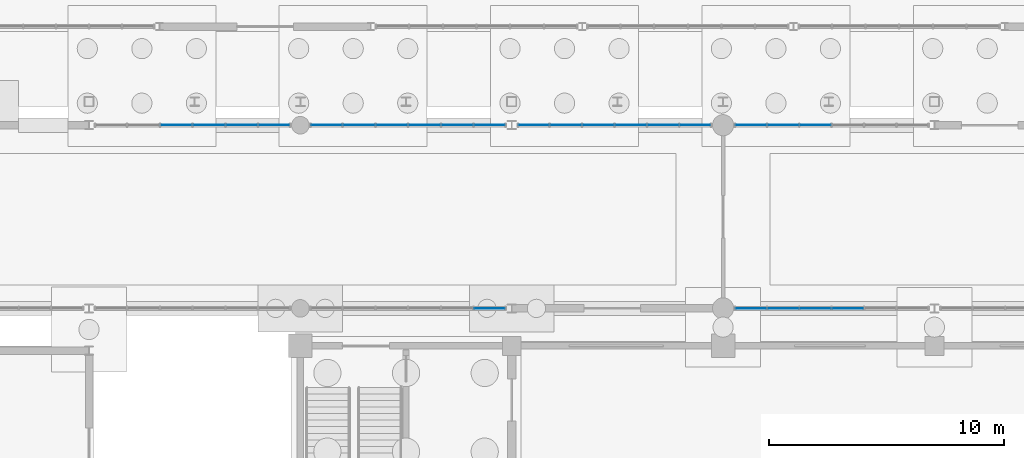
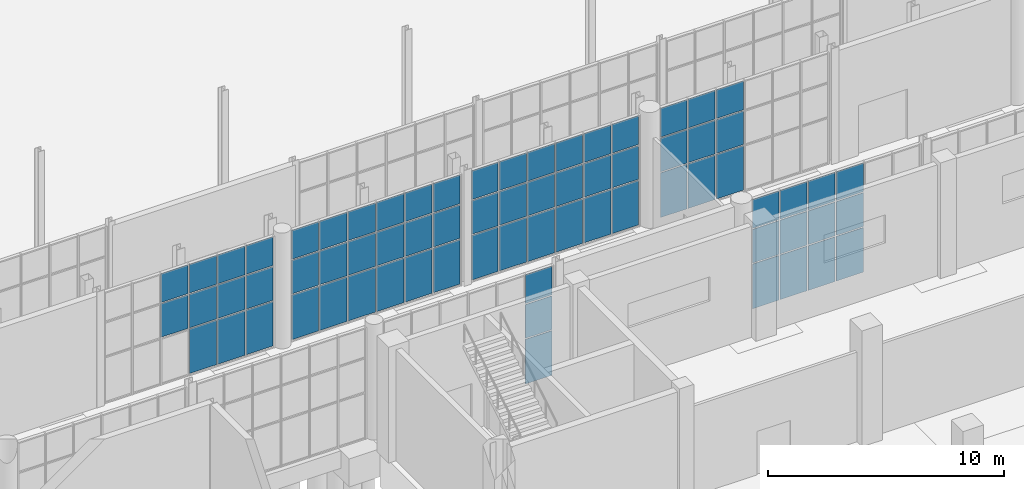
# One storey, part 76 of 131: 71 plates, 6 elements without a shape of their own.
"""IFC4 building model written with IfcOpenShell, lengths in metres."""

from ifc_helpers import new_model, si_unit, direction, frame, origin, origin_2d, place, context, subcontext, project, spatial, rectangle, extrude, material, layer, layer_set, type_object, element, aggregate, save


model = new_model("IFC4")

# Units and contexts
model_context = context("Model", 3, precision=1e-05, world=origin(), true_north=direction((0.0, 1.0)))
body_context = subcontext(model_context, "Body", "Model", "MODEL_VIEW")
ifc_project = project(units=[si_unit("LENGTHUNIT", "METRE"), si_unit("AREAUNIT", "SQUARE_METRE"), si_unit("VOLUMEUNIT", "CUBIC_METRE"), si_unit("PLANEANGLEUNIT", "RADIAN"), si_unit("MASSUNIT", "GRAM", prefix="KILO")], contexts=[model_context])

# Site, building, storey
site_placement = place(None, origin())
site = spatial("IfcSite", under=ifc_project, at=site_placement, CompositionType="ELEMENT")
building_placement = place(site_placement, origin())
building = spatial("IfcBuilding", under=site, at=building_placement, Name="Cazmaro Siding Exhibition Halls", CompositionType="ELEMENT")
storey_placement = place(building_placement, origin())
storey = spatial("IfcBuildingStorey", under=building, at=storey_placement, Name="L00", CompositionType="ELEMENT", Elevation=0.0)

# Curtain wall, plates
ifc_material_1 = material(Name="Anodized Bronze Aluminum and Solar-Control Low-E Glazing", Category="aluminium")
ifc_layer_1 = layer(ifc_material_1, 0.179931640625)
ifc_layer_set_1 = layer_set([ifc_layer_1], Name="Anodized Bronze Aluminum and Solar-Control Low-E Glazing")
curtain_wall_type = type_object("IfcCurtainWallType", Name="CWS-01", PredefinedType="USERDEFINED", material=ifc_layer_set_1)
curtain_wall_1_placement = place(storey_placement, origin())
curtain_wall_1 = element("IfcCurtainWall", 1, at=curtain_wall_1_placement, inside=storey, type_object=curtain_wall_type, Name="Glazed Curtain Wall CWS-01 CW-156", ObjectType="GLAZED CURTAIN WALL", PredefinedType="USERDEFINED")
ifc_material_2 = material(Name="Solar-Control Low-E Double Insulating Glass", Category="glass")
ifc_layer_2 = layer(ifc_material_2, 0.02392578125)
ifc_layer_set_2 = layer_set([ifc_layer_2], Name="Solar-Control Low-E Double Insulating Glass")
plate_type = type_object("IfcPlateType", Name="CWP-01", PredefinedType="CURTAIN_PANEL", material=ifc_layer_set_2)
plate_1_placement = place(storey_placement, frame((70.880126953125, 63.0, 0.06005859375), z_axis=(0.0, 0.0, 1.0), x_axis=(-1.0, 0.0, 0.0)))
plate_1 = element("IfcPlate", 2, at=plate_1_placement, type_object=plate_type, Name="CWS-01 panel 1.1", PredefinedType="CURTAIN_PANEL", context=body_context, shape_type="SweptSolid", body=[
    extrude(rectangle(XDim=1.3037109375, YDim=0.02392578125, at=origin_2d()), origin(), (0.0, 0.0, 1.0), 2.31005859375),
])
plate_2_placement = place(storey_placement, frame((70.880126953125, 63.0, 2.43017578125), z_axis=(0.0, 0.0, 1.0), x_axis=(-1.0, 0.0, 0.0)))
plate_2 = element("IfcPlate", 3, at=plate_2_placement, type_object=plate_type, Name="CWS-01 panel 1.2", PredefinedType="CURTAIN_PANEL", context=body_context, shape_type="SweptSolid", body=[
    extrude(rectangle(XDim=1.3037109375, YDim=0.02392578125, at=origin_2d()), origin(), (0.0, 0.0, 1.0), 1.739990234375),
])
plate_3_placement = place(storey_placement, frame((70.880126953125, 63.0, 4.22998046875), z_axis=(0.0, 0.0, 1.0), x_axis=(-1.0, 0.0, 0.0)))
plate_3 = element("IfcPlate", 4, at=plate_3_placement, type_object=plate_type, Name="CWS-01 panel 1.3", PredefinedType="CURTAIN_PANEL", context=body_context, shape_type="SweptSolid", body=[
    extrude(rectangle(XDim=1.3037109375, YDim=0.02392578125, at=origin_2d()), origin(), (0.0, 0.0, 1.0), 1.489990234375),
])
plate_4_placement = place(storey_placement, frame((69.50146484375, 63.0, 0.06005859375), z_axis=(0.0, 0.0, 1.0), x_axis=(-1.0, 0.0, 0.0)))
plate_4 = element("IfcPlate", 5, at=plate_4_placement, type_object=plate_type, Name="CWS-01 panel 2.1", PredefinedType="CURTAIN_PANEL", context=body_context, shape_type="SweptSolid", body=[
    extrude(rectangle(XDim=1.333740234375, YDim=0.02392578125, at=origin_2d()), origin(), (0.0, 0.0, 1.0), 2.31005859375),
])
plate_5_placement = place(storey_placement, frame((69.50146484375, 63.0, 2.43017578125), z_axis=(0.0, 0.0, 1.0), x_axis=(-1.0, 0.0, 0.0)))
plate_5 = element("IfcPlate", 6, at=plate_5_placement, type_object=plate_type, Name="CWS-01 panel 2.2", PredefinedType="CURTAIN_PANEL", context=body_context, shape_type="SweptSolid", body=[
    extrude(rectangle(XDim=1.333740234375, YDim=0.02392578125, at=origin_2d()), origin(), (0.0, 0.0, 1.0), 1.739990234375),
])
plate_6_placement = place(storey_placement, frame((69.50146484375, 63.0, 4.22998046875), z_axis=(0.0, 0.0, 1.0), x_axis=(-1.0, 0.0, 0.0)))
plate_6 = element("IfcPlate", 7, at=plate_6_placement, type_object=plate_type, Name="CWS-01 panel 2.3", PredefinedType="CURTAIN_PANEL", context=body_context, shape_type="SweptSolid", body=[
    extrude(rectangle(XDim=1.333740234375, YDim=0.02392578125, at=origin_2d()), origin(), (0.0, 0.0, 1.0), 1.489990234375),
])
plate_7_placement = place(storey_placement, frame((68.10791015625, 63.0, 0.06005859375), z_axis=(0.0, 0.0, 1.0), x_axis=(-1.0, 0.0, 0.0)))
plate_7 = element("IfcPlate", 8, at=plate_7_placement, type_object=plate_type, Name="CWS-01 panel 3.1", PredefinedType="CURTAIN_PANEL", context=body_context, shape_type="SweptSolid", body=[
    extrude(rectangle(XDim=1.333740234375, YDim=0.02392578125, at=origin_2d()), origin(), (0.0, 0.0, 1.0), 2.31005859375),
])
plate_8_placement = place(storey_placement, frame((68.10791015625, 63.0, 2.43017578125), z_axis=(0.0, 0.0, 1.0), x_axis=(-1.0, 0.0, 0.0)))
plate_8 = element("IfcPlate", 9, at=plate_8_placement, type_object=plate_type, Name="CWS-01 panel 3.2", PredefinedType="CURTAIN_PANEL", context=body_context, shape_type="SweptSolid", body=[
    extrude(rectangle(XDim=1.333740234375, YDim=0.02392578125, at=origin_2d()), origin(), (0.0, 0.0, 1.0), 1.739990234375),
])
plate_9_placement = place(storey_placement, frame((68.10791015625, 63.0, 4.22998046875), z_axis=(0.0, 0.0, 1.0), x_axis=(-1.0, 0.0, 0.0)))
plate_9 = element("IfcPlate", 10, at=plate_9_placement, type_object=plate_type, Name="CWS-01 panel 3.3", PredefinedType="CURTAIN_PANEL", context=body_context, shape_type="SweptSolid", body=[
    extrude(rectangle(XDim=1.333740234375, YDim=0.02392578125, at=origin_2d()), origin(), (0.0, 0.0, 1.0), 1.489990234375),
])
plate_10_placement = place(storey_placement, frame((66.714111328125, 63.0, 2.43017578125), z_axis=(0.0, 0.0, 1.0), x_axis=(-1.0, 0.0, 0.0)))
plate_10 = element("IfcPlate", 11, at=plate_10_placement, type_object=plate_type, Name="CWS-01 panel 4.2", PredefinedType="CURTAIN_PANEL", context=body_context, shape_type="SweptSolid", body=[
    extrude(rectangle(XDim=1.333740234375, YDim=0.02392578125, at=origin_2d()), origin(), (0.0, 0.0, 1.0), 1.739990234375),
])
plate_11_placement = place(storey_placement, frame((66.714111328125, 63.0, 4.22998046875), z_axis=(0.0, 0.0, 1.0), x_axis=(-1.0, 0.0, 0.0)))
plate_11 = element("IfcPlate", 12, at=plate_11_placement, type_object=plate_type, Name="CWS-01 panel 4.3", PredefinedType="CURTAIN_PANEL", context=body_context, shape_type="SweptSolid", body=[
    extrude(rectangle(XDim=1.333740234375, YDim=0.02392578125, at=origin_2d()), origin(), (0.0, 0.0, 1.0), 1.489990234375),
])
aggregate(curtain_wall_1, [plate_1, plate_2, plate_3, plate_4, plate_5, plate_6, plate_7, plate_8, plate_9, plate_10, plate_11])

curtain_wall_2_placement = place(storey_placement, origin())
curtain_wall_2 = element("IfcCurtainWall", 13, at=curtain_wall_2_placement, inside=storey, type_object=curtain_wall_type, Name="Glazed Curtain Wall CWS-01 CW-161", ObjectType="GLAZED CURTAIN WALL", PredefinedType="USERDEFINED")
plate_12_placement = place(storey_placement, frame((80.05810546875, 55.199951171875, 0.06005859375), z_axis=(0.0, 0.0, 1.0), x_axis=(1.0, 0.0, 0.0)))
plate_12 = element("IfcPlate", 14, at=plate_12_placement, type_object=plate_type, Name="CWS-01 panel 6.1", PredefinedType="CURTAIN_PANEL", context=body_context, shape_type="SweptSolid", body=[
    extrude(rectangle(XDim=1.3037109375, YDim=0.02392578125, at=origin_2d()), origin(), (0.0, 0.0, 1.0), 2.31005859375),
])
plate_13_placement = place(storey_placement, frame((80.05810546875, 55.199951171875, 2.43017578125), z_axis=(0.0, 0.0, 1.0), x_axis=(1.0, 0.0, 0.0)))
plate_13 = element("IfcPlate", 15, at=plate_13_placement, type_object=plate_type, Name="CWS-01 panel 6.2", PredefinedType="CURTAIN_PANEL", context=body_context, shape_type="SweptSolid", body=[
    extrude(rectangle(XDim=1.3037109375, YDim=0.02392578125, at=origin_2d()), origin(), (0.0, 0.0, 1.0), 1.739990234375),
])
plate_14_placement = place(storey_placement, frame((80.05810546875, 55.199951171875, 4.22998046875), z_axis=(0.0, 0.0, 1.0), x_axis=(1.0, 0.0, 0.0)))
plate_14 = element("IfcPlate", 16, at=plate_14_placement, type_object=plate_type, Name="CWS-01 panel 6.3", PredefinedType="CURTAIN_PANEL", context=body_context, shape_type="SweptSolid", body=[
    extrude(rectangle(XDim=1.3037109375, YDim=0.02392578125, at=origin_2d()), origin(), (0.0, 0.0, 1.0), 1.489990234375),
])
aggregate(curtain_wall_2, [plate_12, plate_13, plate_14])

curtain_wall_3_placement = place(storey_placement, origin())
curtain_wall_3 = element("IfcCurtainWall", 17, at=curtain_wall_3_placement, inside=storey, type_object=curtain_wall_type, Name="Glazed Curtain Wall CWS-01 CW-162", ObjectType="GLAZED CURTAIN WALL", PredefinedType="USERDEFINED")
plate_15_placement = place(storey_placement, frame((80.05810546875, 63.0, 0.06005859375), z_axis=(0.0, 0.0, 1.0), x_axis=(-1.0, 0.0, 0.0)))
plate_15 = element("IfcPlate", 18, at=plate_15_placement, type_object=plate_type, Name="CWS-01 panel 1.1", PredefinedType="CURTAIN_PANEL", context=body_context, shape_type="SweptSolid", body=[
    extrude(rectangle(XDim=1.3037109375, YDim=0.02392578125, at=origin_2d()), origin(), (0.0, 0.0, 1.0), 2.31005859375),
])
plate_16_placement = place(storey_placement, frame((80.05810546875, 63.0, 2.43017578125), z_axis=(0.0, 0.0, 1.0), x_axis=(-1.0, 0.0, 0.0)))
plate_16 = element("IfcPlate", 19, at=plate_16_placement, type_object=plate_type, Name="CWS-01 panel 1.2", PredefinedType="CURTAIN_PANEL", context=body_context, shape_type="SweptSolid", body=[
    extrude(rectangle(XDim=1.3037109375, YDim=0.02392578125, at=origin_2d()), origin(), (0.0, 0.0, 1.0), 1.739990234375),
])
plate_17_placement = place(storey_placement, frame((80.05810546875, 63.0, 4.22998046875), z_axis=(0.0, 0.0, 1.0), x_axis=(-1.0, 0.0, 0.0)))
plate_17 = element("IfcPlate", 20, at=plate_17_placement, type_object=plate_type, Name="CWS-01 panel 1.3", PredefinedType="CURTAIN_PANEL", context=body_context, shape_type="SweptSolid", body=[
    extrude(rectangle(XDim=1.3037109375, YDim=0.02392578125, at=origin_2d()), origin(), (0.0, 0.0, 1.0), 1.489990234375),
])
plate_18_placement = place(storey_placement, frame((78.679443359375, 63.0, 0.06005859375), z_axis=(0.0, 0.0, 1.0), x_axis=(-1.0, 0.0, 0.0)))
plate_18 = element("IfcPlate", 21, at=plate_18_placement, type_object=plate_type, Name="CWS-01 panel 2.1", PredefinedType="CURTAIN_PANEL", context=body_context, shape_type="SweptSolid", body=[
    extrude(rectangle(XDim=1.333740234375, YDim=0.02392578125, at=origin_2d()), origin(), (0.0, 0.0, 1.0), 2.31005859375),
])
plate_19_placement = place(storey_placement, frame((78.679443359375, 63.0, 2.43017578125), z_axis=(0.0, 0.0, 1.0), x_axis=(-1.0, 0.0, 0.0)))
plate_19 = element("IfcPlate", 22, at=plate_19_placement, type_object=plate_type, Name="CWS-01 panel 2.2", PredefinedType="CURTAIN_PANEL", context=body_context, shape_type="SweptSolid", body=[
    extrude(rectangle(XDim=1.333740234375, YDim=0.02392578125, at=origin_2d()), origin(), (0.0, 0.0, 1.0), 1.739990234375),
])
plate_20_placement = place(storey_placement, frame((78.679443359375, 63.0, 4.22998046875), z_axis=(0.0, 0.0, 1.0), x_axis=(-1.0, 0.0, 0.0)))
plate_20 = element("IfcPlate", 23, at=plate_20_placement, type_object=plate_type, Name="CWS-01 panel 2.3", PredefinedType="CURTAIN_PANEL", context=body_context, shape_type="SweptSolid", body=[
    extrude(rectangle(XDim=1.333740234375, YDim=0.02392578125, at=origin_2d()), origin(), (0.0, 0.0, 1.0), 1.489990234375),
])
plate_21_placement = place(storey_placement, frame((77.285888671875, 63.0, 0.06005859375), z_axis=(0.0, 0.0, 1.0), x_axis=(-1.0, 0.0, 0.0)))
plate_21 = element("IfcPlate", 24, at=plate_21_placement, type_object=plate_type, Name="CWS-01 panel 3.1", PredefinedType="CURTAIN_PANEL", context=body_context, shape_type="SweptSolid", body=[
    extrude(rectangle(XDim=1.333740234375, YDim=0.02392578125, at=origin_2d()), origin(), (0.0, 0.0, 1.0), 2.31005859375),
])
plate_22_placement = place(storey_placement, frame((77.285888671875, 63.0, 2.43017578125), z_axis=(0.0, 0.0, 1.0), x_axis=(-1.0, 0.0, 0.0)))
plate_22 = element("IfcPlate", 25, at=plate_22_placement, type_object=plate_type, Name="CWS-01 panel 3.2", PredefinedType="CURTAIN_PANEL", context=body_context, shape_type="SweptSolid", body=[
    extrude(rectangle(XDim=1.333740234375, YDim=0.02392578125, at=origin_2d()), origin(), (0.0, 0.0, 1.0), 1.739990234375),
])
plate_23_placement = place(storey_placement, frame((77.285888671875, 63.0, 4.22998046875), z_axis=(0.0, 0.0, 1.0), x_axis=(-1.0, 0.0, 0.0)))
plate_23 = element("IfcPlate", 26, at=plate_23_placement, type_object=plate_type, Name="CWS-01 panel 3.3", PredefinedType="CURTAIN_PANEL", context=body_context, shape_type="SweptSolid", body=[
    extrude(rectangle(XDim=1.333740234375, YDim=0.02392578125, at=origin_2d()), origin(), (0.0, 0.0, 1.0), 1.489990234375),
])
plate_24_placement = place(storey_placement, frame((75.89208984375, 63.0, 0.06005859375), z_axis=(0.0, 0.0, 1.0), x_axis=(-1.0, 0.0, 0.0)))
plate_24 = element("IfcPlate", 27, at=plate_24_placement, type_object=plate_type, Name="CWS-01 panel 4.1", PredefinedType="CURTAIN_PANEL", context=body_context, shape_type="SweptSolid", body=[
    extrude(rectangle(XDim=1.333740234375, YDim=0.02392578125, at=origin_2d()), origin(), (0.0, 0.0, 1.0), 2.31005859375),
])
plate_25_placement = place(storey_placement, frame((75.89208984375, 63.0, 2.43017578125), z_axis=(0.0, 0.0, 1.0), x_axis=(-1.0, 0.0, 0.0)))
plate_25 = element("IfcPlate", 28, at=plate_25_placement, type_object=plate_type, Name="CWS-01 panel 4.2", PredefinedType="CURTAIN_PANEL", context=body_context, shape_type="SweptSolid", body=[
    extrude(rectangle(XDim=1.333740234375, YDim=0.02392578125, at=origin_2d()), origin(), (0.0, 0.0, 1.0), 1.739990234375),
])
plate_26_placement = place(storey_placement, frame((75.89208984375, 63.0, 4.22998046875), z_axis=(0.0, 0.0, 1.0), x_axis=(-1.0, 0.0, 0.0)))
plate_26 = element("IfcPlate", 29, at=plate_26_placement, type_object=plate_type, Name="CWS-01 panel 4.3", PredefinedType="CURTAIN_PANEL", context=body_context, shape_type="SweptSolid", body=[
    extrude(rectangle(XDim=1.333740234375, YDim=0.02392578125, at=origin_2d()), origin(), (0.0, 0.0, 1.0), 1.489990234375),
])
plate_27_placement = place(storey_placement, frame((74.49853515625, 63.0, 0.06005859375), z_axis=(0.0, 0.0, 1.0), x_axis=(-1.0, 0.0, 0.0)))
plate_27 = element("IfcPlate", 30, at=plate_27_placement, type_object=plate_type, Name="CWS-01 panel 5.1", PredefinedType="CURTAIN_PANEL", context=body_context, shape_type="SweptSolid", body=[
    extrude(rectangle(XDim=1.333740234375, YDim=0.02392578125, at=origin_2d()), origin(), (0.0, 0.0, 1.0), 2.31005859375),
])
plate_28_placement = place(storey_placement, frame((74.49853515625, 63.0, 2.43017578125), z_axis=(0.0, 0.0, 1.0), x_axis=(-1.0, 0.0, 0.0)))
plate_28 = element("IfcPlate", 31, at=plate_28_placement, type_object=plate_type, Name="CWS-01 panel 5.2", PredefinedType="CURTAIN_PANEL", context=body_context, shape_type="SweptSolid", body=[
    extrude(rectangle(XDim=1.333740234375, YDim=0.02392578125, at=origin_2d()), origin(), (0.0, 0.0, 1.0), 1.739990234375),
])
plate_29_placement = place(storey_placement, frame((74.49853515625, 63.0, 4.22998046875), z_axis=(0.0, 0.0, 1.0), x_axis=(-1.0, 0.0, 0.0)))
plate_29 = element("IfcPlate", 32, at=plate_29_placement, type_object=plate_type, Name="CWS-01 panel 5.3", PredefinedType="CURTAIN_PANEL", context=body_context, shape_type="SweptSolid", body=[
    extrude(rectangle(XDim=1.333740234375, YDim=0.02392578125, at=origin_2d()), origin(), (0.0, 0.0, 1.0), 1.489990234375),
])
plate_30_placement = place(storey_placement, frame((73.119873046875, 63.0, 0.06005859375), z_axis=(0.0, 0.0, 1.0), x_axis=(-1.0, 0.0, 0.0)))
plate_30 = element("IfcPlate", 33, at=plate_30_placement, type_object=plate_type, Name="CWS-01 panel 6.1", PredefinedType="CURTAIN_PANEL", context=body_context, shape_type="SweptSolid", body=[
    extrude(rectangle(XDim=1.3037109375, YDim=0.02392578125, at=origin_2d()), origin(), (0.0, 0.0, 1.0), 2.31005859375),
])
plate_31_placement = place(storey_placement, frame((73.119873046875, 63.0, 2.43017578125), z_axis=(0.0, 0.0, 1.0), x_axis=(-1.0, 0.0, 0.0)))
plate_31 = element("IfcPlate", 34, at=plate_31_placement, type_object=plate_type, Name="CWS-01 panel 6.2", PredefinedType="CURTAIN_PANEL", context=body_context, shape_type="SweptSolid", body=[
    extrude(rectangle(XDim=1.3037109375, YDim=0.02392578125, at=origin_2d()), origin(), (0.0, 0.0, 1.0), 1.739990234375),
])
plate_32_placement = place(storey_placement, frame((73.119873046875, 63.0, 4.22998046875), z_axis=(0.0, 0.0, 1.0), x_axis=(-1.0, 0.0, 0.0)))
plate_32 = element("IfcPlate", 35, at=plate_32_placement, type_object=plate_type, Name="CWS-01 panel 6.3", PredefinedType="CURTAIN_PANEL", context=body_context, shape_type="SweptSolid", body=[
    extrude(rectangle(XDim=1.3037109375, YDim=0.02392578125, at=origin_2d()), origin(), (0.0, 0.0, 1.0), 1.489990234375),
])
aggregate(curtain_wall_3, [plate_15, plate_16, plate_17, plate_18, plate_19, plate_20, plate_21, plate_22, plate_23, plate_24, plate_25, plate_26, plate_27, plate_28, plate_29, plate_30, plate_31, plate_32])

curtain_wall_4_placement = place(storey_placement, origin())
curtain_wall_4 = element("IfcCurtainWall", 36, at=curtain_wall_4_placement, inside=storey, type_object=curtain_wall_type, Name="Glazed Curtain Wall CWS-01 CW-167", ObjectType="GLAZED CURTAIN WALL", PredefinedType="USERDEFINED")
plate_33_placement = place(storey_placement, frame((88.8115234375, 63.0, 0.06005859375), z_axis=(0.0, 0.0, 1.0), x_axis=(-1.0, 0.0, 0.0)))
plate_33 = element("IfcPlate", 37, at=plate_33_placement, type_object=plate_type, Name="CWS-01 panel 1.1", PredefinedType="CURTAIN_PANEL", context=body_context, shape_type="SweptSolid", body=[
    extrude(rectangle(XDim=1.291259765625, YDim=0.02392578125, at=origin_2d()), origin(), (0.0, 0.0, 1.0), 2.31005859375),
])
plate_34_placement = place(storey_placement, frame((88.8115234375, 63.0, 2.43017578125), z_axis=(0.0, 0.0, 1.0), x_axis=(-1.0, 0.0, 0.0)))
plate_34 = element("IfcPlate", 38, at=plate_34_placement, type_object=plate_type, Name="CWS-01 panel 1.2", PredefinedType="CURTAIN_PANEL", context=body_context, shape_type="SweptSolid", body=[
    extrude(rectangle(XDim=1.291259765625, YDim=0.02392578125, at=origin_2d()), origin(), (0.0, 0.0, 1.0), 1.739990234375),
])
plate_35_placement = place(storey_placement, frame((88.8115234375, 63.0, 4.22998046875), z_axis=(0.0, 0.0, 1.0), x_axis=(-1.0, 0.0, 0.0)))
plate_35 = element("IfcPlate", 39, at=plate_35_placement, type_object=plate_type, Name="CWS-01 panel 1.3", PredefinedType="CURTAIN_PANEL", context=body_context, shape_type="SweptSolid", body=[
    extrude(rectangle(XDim=1.291259765625, YDim=0.02392578125, at=origin_2d()), origin(), (0.0, 0.0, 1.0), 1.489990234375),
])
plate_36_placement = place(storey_placement, frame((87.4453125, 63.0, 0.06005859375), z_axis=(0.0, 0.0, 1.0), x_axis=(-1.0, 0.0, 0.0)))
plate_36 = element("IfcPlate", 40, at=plate_36_placement, type_object=plate_type, Name="CWS-01 panel 2.1", PredefinedType="CURTAIN_PANEL", context=body_context, shape_type="SweptSolid", body=[
    extrude(rectangle(XDim=1.321044921875, YDim=0.02392578125, at=origin_2d()), origin(), (0.0, 0.0, 1.0), 2.31005859375),
])
plate_37_placement = place(storey_placement, frame((87.4453125, 63.0, 2.43017578125), z_axis=(0.0, 0.0, 1.0), x_axis=(-1.0, 0.0, 0.0)))
plate_37 = element("IfcPlate", 41, at=plate_37_placement, type_object=plate_type, Name="CWS-01 panel 2.2", PredefinedType="CURTAIN_PANEL", context=body_context, shape_type="SweptSolid", body=[
    extrude(rectangle(XDim=1.321044921875, YDim=0.02392578125, at=origin_2d()), origin(), (0.0, 0.0, 1.0), 1.739990234375),
])
plate_38_placement = place(storey_placement, frame((87.4453125, 63.0, 4.22998046875), z_axis=(0.0, 0.0, 1.0), x_axis=(-1.0, 0.0, 0.0)))
plate_38 = element("IfcPlate", 42, at=plate_38_placement, type_object=plate_type, Name="CWS-01 panel 2.3", PredefinedType="CURTAIN_PANEL", context=body_context, shape_type="SweptSolid", body=[
    extrude(rectangle(XDim=1.321044921875, YDim=0.02392578125, at=origin_2d()), origin(), (0.0, 0.0, 1.0), 1.489990234375),
])
plate_39_placement = place(storey_placement, frame((86.06396484375, 63.0, 0.06005859375), z_axis=(0.0, 0.0, 1.0), x_axis=(-1.0, 0.0, 0.0)))
plate_39 = element("IfcPlate", 43, at=plate_39_placement, type_object=plate_type, Name="CWS-01 panel 3.1", PredefinedType="CURTAIN_PANEL", context=body_context, shape_type="SweptSolid", body=[
    extrude(rectangle(XDim=1.321044921875, YDim=0.02392578125, at=origin_2d()), origin(), (0.0, 0.0, 1.0), 2.31005859375),
])
plate_40_placement = place(storey_placement, frame((86.06396484375, 63.0, 2.43017578125), z_axis=(0.0, 0.0, 1.0), x_axis=(-1.0, 0.0, 0.0)))
plate_40 = element("IfcPlate", 44, at=plate_40_placement, type_object=plate_type, Name="CWS-01 panel 3.2", PredefinedType="CURTAIN_PANEL", context=body_context, shape_type="SweptSolid", body=[
    extrude(rectangle(XDim=1.321044921875, YDim=0.02392578125, at=origin_2d()), origin(), (0.0, 0.0, 1.0), 1.739990234375),
])
plate_41_placement = place(storey_placement, frame((86.06396484375, 63.0, 4.22998046875), z_axis=(0.0, 0.0, 1.0), x_axis=(-1.0, 0.0, 0.0)))
plate_41 = element("IfcPlate", 45, at=plate_41_placement, type_object=plate_type, Name="CWS-01 panel 3.3", PredefinedType="CURTAIN_PANEL", context=body_context, shape_type="SweptSolid", body=[
    extrude(rectangle(XDim=1.321044921875, YDim=0.02392578125, at=origin_2d()), origin(), (0.0, 0.0, 1.0), 1.489990234375),
])
plate_42_placement = place(storey_placement, frame((84.682861328125, 63.0, 0.06005859375), z_axis=(0.0, 0.0, 1.0), x_axis=(-1.0, 0.0, 0.0)))
plate_42 = element("IfcPlate", 46, at=plate_42_placement, type_object=plate_type, Name="CWS-01 panel 4.1", PredefinedType="CURTAIN_PANEL", context=body_context, shape_type="SweptSolid", body=[
    extrude(rectangle(XDim=1.321044921875, YDim=0.02392578125, at=origin_2d()), origin(), (0.0, 0.0, 1.0), 2.31005859375),
])
plate_43_placement = place(storey_placement, frame((84.682861328125, 63.0, 2.43017578125), z_axis=(0.0, 0.0, 1.0), x_axis=(-1.0, 0.0, 0.0)))
plate_43 = element("IfcPlate", 47, at=plate_43_placement, type_object=plate_type, Name="CWS-01 panel 4.2", PredefinedType="CURTAIN_PANEL", context=body_context, shape_type="SweptSolid", body=[
    extrude(rectangle(XDim=1.321044921875, YDim=0.02392578125, at=origin_2d()), origin(), (0.0, 0.0, 1.0), 1.739990234375),
])
plate_44_placement = place(storey_placement, frame((84.682861328125, 63.0, 4.22998046875), z_axis=(0.0, 0.0, 1.0), x_axis=(-1.0, 0.0, 0.0)))
plate_44 = element("IfcPlate", 48, at=plate_44_placement, type_object=plate_type, Name="CWS-01 panel 4.3", PredefinedType="CURTAIN_PANEL", context=body_context, shape_type="SweptSolid", body=[
    extrude(rectangle(XDim=1.321044921875, YDim=0.02392578125, at=origin_2d()), origin(), (0.0, 0.0, 1.0), 1.489990234375),
])
plate_45_placement = place(storey_placement, frame((83.3017578125, 63.0, 0.06005859375), z_axis=(0.0, 0.0, 1.0), x_axis=(-1.0, 0.0, 0.0)))
plate_45 = element("IfcPlate", 49, at=plate_45_placement, type_object=plate_type, Name="CWS-01 panel 5.1", PredefinedType="CURTAIN_PANEL", context=body_context, shape_type="SweptSolid", body=[
    extrude(rectangle(XDim=1.321044921875, YDim=0.02392578125, at=origin_2d()), origin(), (0.0, 0.0, 1.0), 2.31005859375),
])
plate_46_placement = place(storey_placement, frame((83.3017578125, 63.0, 2.43017578125), z_axis=(0.0, 0.0, 1.0), x_axis=(-1.0, 0.0, 0.0)))
plate_46 = element("IfcPlate", 50, at=plate_46_placement, type_object=plate_type, Name="CWS-01 panel 5.2", PredefinedType="CURTAIN_PANEL", context=body_context, shape_type="SweptSolid", body=[
    extrude(rectangle(XDim=1.321044921875, YDim=0.02392578125, at=origin_2d()), origin(), (0.0, 0.0, 1.0), 1.739990234375),
])
plate_47_placement = place(storey_placement, frame((83.3017578125, 63.0, 4.22998046875), z_axis=(0.0, 0.0, 1.0), x_axis=(-1.0, 0.0, 0.0)))
plate_47 = element("IfcPlate", 51, at=plate_47_placement, type_object=plate_type, Name="CWS-01 panel 5.3", PredefinedType="CURTAIN_PANEL", context=body_context, shape_type="SweptSolid", body=[
    extrude(rectangle(XDim=1.321044921875, YDim=0.02392578125, at=origin_2d()), origin(), (0.0, 0.0, 1.0), 1.489990234375),
])
plate_48_placement = place(storey_placement, frame((81.935546875, 63.0, 0.06005859375), z_axis=(0.0, 0.0, 1.0), x_axis=(-1.0, 0.0, 0.0)))
plate_48 = element("IfcPlate", 52, at=plate_48_placement, type_object=plate_type, Name="CWS-01 panel 6.1", PredefinedType="CURTAIN_PANEL", context=body_context, shape_type="SweptSolid", body=[
    extrude(rectangle(XDim=1.291259765625, YDim=0.02392578125, at=origin_2d()), origin(), (0.0, 0.0, 1.0), 2.31005859375),
])
plate_49_placement = place(storey_placement, frame((81.935546875, 63.0, 2.43017578125), z_axis=(0.0, 0.0, 1.0), x_axis=(-1.0, 0.0, 0.0)))
plate_49 = element("IfcPlate", 53, at=plate_49_placement, type_object=plate_type, Name="CWS-01 panel 6.2", PredefinedType="CURTAIN_PANEL", context=body_context, shape_type="SweptSolid", body=[
    extrude(rectangle(XDim=1.291259765625, YDim=0.02392578125, at=origin_2d()), origin(), (0.0, 0.0, 1.0), 1.739990234375),
])
plate_50_placement = place(storey_placement, frame((81.935546875, 63.0, 4.22998046875), z_axis=(0.0, 0.0, 1.0), x_axis=(-1.0, 0.0, 0.0)))
plate_50 = element("IfcPlate", 54, at=plate_50_placement, type_object=plate_type, Name="CWS-01 panel 6.3", PredefinedType="CURTAIN_PANEL", context=body_context, shape_type="SweptSolid", body=[
    extrude(rectangle(XDim=1.291259765625, YDim=0.02392578125, at=origin_2d()), origin(), (0.0, 0.0, 1.0), 1.489990234375),
])
aggregate(curtain_wall_4, [plate_33, plate_34, plate_35, plate_36, plate_37, plate_38, plate_39, plate_40, plate_41, plate_42, plate_43, plate_44, plate_45, plate_46, plate_47, plate_48, plate_49, plate_50])

curtain_wall_5_placement = place(storey_placement, origin())
curtain_wall_5 = element("IfcCurtainWall", 55, at=curtain_wall_5_placement, inside=storey, type_object=curtain_wall_type, Name="Glazed Curtain Wall CWS-01 CW-170", ObjectType="GLAZED CURTAIN WALL", PredefinedType="USERDEFINED")
plate_51_placement = place(storey_placement, frame((91.1884765625, 55.199951171875, 0.06005859375), z_axis=(0.0, 0.0, 1.0), x_axis=(1.0, 0.0, 0.0)))
plate_51 = element("IfcPlate", 56, at=plate_51_placement, type_object=plate_type, Name="CWS-01 panel 1.1", PredefinedType="CURTAIN_PANEL", context=body_context, shape_type="SweptSolid", body=[
    extrude(rectangle(XDim=1.291259765625, YDim=0.02392578125, at=origin_2d()), origin(), (0.0, 0.0, 1.0), 2.31005859375),
])
plate_52_placement = place(storey_placement, frame((91.1884765625, 55.199951171875, 2.43017578125), z_axis=(0.0, 0.0, 1.0), x_axis=(1.0, 0.0, 0.0)))
plate_52 = element("IfcPlate", 57, at=plate_52_placement, type_object=plate_type, Name="CWS-01 panel 1.2", PredefinedType="CURTAIN_PANEL", context=body_context, shape_type="SweptSolid", body=[
    extrude(rectangle(XDim=1.291259765625, YDim=0.02392578125, at=origin_2d()), origin(), (0.0, 0.0, 1.0), 1.739990234375),
])
plate_53_placement = place(storey_placement, frame((91.1884765625, 55.199951171875, 4.22998046875), z_axis=(0.0, 0.0, 1.0), x_axis=(1.0, 0.0, 0.0)))
plate_53 = element("IfcPlate", 58, at=plate_53_placement, type_object=plate_type, Name="CWS-01 panel 1.3", PredefinedType="CURTAIN_PANEL", context=body_context, shape_type="SweptSolid", body=[
    extrude(rectangle(XDim=1.291259765625, YDim=0.02392578125, at=origin_2d()), origin(), (0.0, 0.0, 1.0), 1.489990234375),
])
plate_54_placement = place(storey_placement, frame((92.5546875, 55.199951171875, 0.06005859375), z_axis=(0.0, 0.0, 1.0), x_axis=(1.0, 0.0, 0.0)))
plate_54 = element("IfcPlate", 59, at=plate_54_placement, type_object=plate_type, Name="CWS-01 panel 2.1", PredefinedType="CURTAIN_PANEL", context=body_context, shape_type="SweptSolid", body=[
    extrude(rectangle(XDim=1.321044921875, YDim=0.02392578125, at=origin_2d()), origin(), (0.0, 0.0, 1.0), 2.31005859375),
])
plate_55_placement = place(storey_placement, frame((92.5546875, 55.199951171875, 2.43017578125), z_axis=(0.0, 0.0, 1.0), x_axis=(1.0, 0.0, 0.0)))
plate_55 = element("IfcPlate", 60, at=plate_55_placement, type_object=plate_type, Name="CWS-01 panel 2.2", PredefinedType="CURTAIN_PANEL", context=body_context, shape_type="SweptSolid", body=[
    extrude(rectangle(XDim=1.321044921875, YDim=0.02392578125, at=origin_2d()), origin(), (0.0, 0.0, 1.0), 1.739990234375),
])
plate_56_placement = place(storey_placement, frame((92.5546875, 55.199951171875, 4.22998046875), z_axis=(0.0, 0.0, 1.0), x_axis=(1.0, 0.0, 0.0)))
plate_56 = element("IfcPlate", 61, at=plate_56_placement, type_object=plate_type, Name="CWS-01 panel 2.3", PredefinedType="CURTAIN_PANEL", context=body_context, shape_type="SweptSolid", body=[
    extrude(rectangle(XDim=1.321044921875, YDim=0.02392578125, at=origin_2d()), origin(), (0.0, 0.0, 1.0), 1.489990234375),
])
plate_57_placement = place(storey_placement, frame((93.93603515625, 55.199951171875, 0.06005859375), z_axis=(0.0, 0.0, 1.0), x_axis=(1.0, 0.0, 0.0)))
plate_57 = element("IfcPlate", 62, at=plate_57_placement, type_object=plate_type, Name="CWS-01 panel 3.1", PredefinedType="CURTAIN_PANEL", context=body_context, shape_type="SweptSolid", body=[
    extrude(rectangle(XDim=1.321044921875, YDim=0.02392578125, at=origin_2d()), origin(), (0.0, 0.0, 1.0), 2.31005859375),
])
plate_58_placement = place(storey_placement, frame((93.93603515625, 55.199951171875, 2.43017578125), z_axis=(0.0, 0.0, 1.0), x_axis=(1.0, 0.0, 0.0)))
plate_58 = element("IfcPlate", 63, at=plate_58_placement, type_object=plate_type, Name="CWS-01 panel 3.2", PredefinedType="CURTAIN_PANEL", context=body_context, shape_type="SweptSolid", body=[
    extrude(rectangle(XDim=1.321044921875, YDim=0.02392578125, at=origin_2d()), origin(), (0.0, 0.0, 1.0), 1.739990234375),
])
plate_59_placement = place(storey_placement, frame((93.93603515625, 55.199951171875, 4.22998046875), z_axis=(0.0, 0.0, 1.0), x_axis=(1.0, 0.0, 0.0)))
plate_59 = element("IfcPlate", 64, at=plate_59_placement, type_object=plate_type, Name="CWS-01 panel 3.3", PredefinedType="CURTAIN_PANEL", context=body_context, shape_type="SweptSolid", body=[
    extrude(rectangle(XDim=1.321044921875, YDim=0.02392578125, at=origin_2d()), origin(), (0.0, 0.0, 1.0), 1.489990234375),
])
plate_60_placement = place(storey_placement, frame((95.317138671875, 55.199951171875, 0.06005859375), z_axis=(0.0, 0.0, 1.0), x_axis=(1.0, 0.0, 0.0)))
plate_60 = element("IfcPlate", 65, at=plate_60_placement, type_object=plate_type, Name="CWS-01 panel 4.1", PredefinedType="CURTAIN_PANEL", context=body_context, shape_type="SweptSolid", body=[
    extrude(rectangle(XDim=1.321044921875, YDim=0.02392578125, at=origin_2d()), origin(), (0.0, 0.0, 1.0), 2.31005859375),
])
plate_61_placement = place(storey_placement, frame((95.317138671875, 55.199951171875, 2.43017578125), z_axis=(0.0, 0.0, 1.0), x_axis=(1.0, 0.0, 0.0)))
plate_61 = element("IfcPlate", 66, at=plate_61_placement, type_object=plate_type, Name="CWS-01 panel 4.2", PredefinedType="CURTAIN_PANEL", context=body_context, shape_type="SweptSolid", body=[
    extrude(rectangle(XDim=1.321044921875, YDim=0.02392578125, at=origin_2d()), origin(), (0.0, 0.0, 1.0), 1.739990234375),
])
plate_62_placement = place(storey_placement, frame((95.317138671875, 55.199951171875, 4.22998046875), z_axis=(0.0, 0.0, 1.0), x_axis=(1.0, 0.0, 0.0)))
plate_62 = element("IfcPlate", 67, at=plate_62_placement, type_object=plate_type, Name="CWS-01 panel 4.3", PredefinedType="CURTAIN_PANEL", context=body_context, shape_type="SweptSolid", body=[
    extrude(rectangle(XDim=1.321044921875, YDim=0.02392578125, at=origin_2d()), origin(), (0.0, 0.0, 1.0), 1.489990234375),
])
aggregate(curtain_wall_5, [plate_51, plate_52, plate_53, plate_54, plate_55, plate_56, plate_57, plate_58, plate_59, plate_60, plate_61, plate_62])

curtain_wall_6_placement = place(storey_placement, origin())
curtain_wall_6 = element("IfcCurtainWall", 68, at=curtain_wall_6_placement, inside=storey, type_object=curtain_wall_type, Name="Glazed Curtain Wall CWS-01 CW-171", ObjectType="GLAZED CURTAIN WALL", PredefinedType="USERDEFINED")
plate_63_placement = place(storey_placement, frame((93.93603515625, 63.0, 0.06005859375), z_axis=(0.0, 0.0, 1.0), x_axis=(-1.0, 0.0, 0.0)))
plate_63 = element("IfcPlate", 69, at=plate_63_placement, type_object=plate_type, Name="CWS-01 panel 4.1", PredefinedType="CURTAIN_PANEL", context=body_context, shape_type="SweptSolid", body=[
    extrude(rectangle(XDim=1.321044921875, YDim=0.02392578125, at=origin_2d()), origin(), (0.0, 0.0, 1.0), 2.31005859375),
])
plate_64_placement = place(storey_placement, frame((93.93603515625, 63.0, 2.43017578125), z_axis=(0.0, 0.0, 1.0), x_axis=(-1.0, 0.0, 0.0)))
plate_64 = element("IfcPlate", 70, at=plate_64_placement, type_object=plate_type, Name="CWS-01 panel 4.2", PredefinedType="CURTAIN_PANEL", context=body_context, shape_type="SweptSolid", body=[
    extrude(rectangle(XDim=1.321044921875, YDim=0.02392578125, at=origin_2d()), origin(), (0.0, 0.0, 1.0), 1.739990234375),
])
plate_65_placement = place(storey_placement, frame((93.93603515625, 63.0, 4.22998046875), z_axis=(0.0, 0.0, 1.0), x_axis=(-1.0, 0.0, 0.0)))
plate_65 = element("IfcPlate", 71, at=plate_65_placement, type_object=plate_type, Name="CWS-01 panel 4.3", PredefinedType="CURTAIN_PANEL", context=body_context, shape_type="SweptSolid", body=[
    extrude(rectangle(XDim=1.321044921875, YDim=0.02392578125, at=origin_2d()), origin(), (0.0, 0.0, 1.0), 1.489990234375),
])
plate_66_placement = place(storey_placement, frame((92.5546875, 63.0, 0.06005859375), z_axis=(0.0, 0.0, 1.0), x_axis=(-1.0, 0.0, 0.0)))
plate_66 = element("IfcPlate", 72, at=plate_66_placement, type_object=plate_type, Name="CWS-01 panel 5.1", PredefinedType="CURTAIN_PANEL", context=body_context, shape_type="SweptSolid", body=[
    extrude(rectangle(XDim=1.321044921875, YDim=0.02392578125, at=origin_2d()), origin(), (0.0, 0.0, 1.0), 2.31005859375),
])
plate_67_placement = place(storey_placement, frame((92.5546875, 63.0, 2.43017578125), z_axis=(0.0, 0.0, 1.0), x_axis=(-1.0, 0.0, 0.0)))
plate_67 = element("IfcPlate", 73, at=plate_67_placement, type_object=plate_type, Name="CWS-01 panel 5.2", PredefinedType="CURTAIN_PANEL", context=body_context, shape_type="SweptSolid", body=[
    extrude(rectangle(XDim=1.321044921875, YDim=0.02392578125, at=origin_2d()), origin(), (0.0, 0.0, 1.0), 1.739990234375),
])
plate_68_placement = place(storey_placement, frame((92.5546875, 63.0, 4.22998046875), z_axis=(0.0, 0.0, 1.0), x_axis=(-1.0, 0.0, 0.0)))
plate_68 = element("IfcPlate", 74, at=plate_68_placement, type_object=plate_type, Name="CWS-01 panel 5.3", PredefinedType="CURTAIN_PANEL", context=body_context, shape_type="SweptSolid", body=[
    extrude(rectangle(XDim=1.321044921875, YDim=0.02392578125, at=origin_2d()), origin(), (0.0, 0.0, 1.0), 1.489990234375),
])
plate_69_placement = place(storey_placement, frame((91.1884765625, 63.0, 0.06005859375), z_axis=(0.0, 0.0, 1.0), x_axis=(-1.0, 0.0, 0.0)))
plate_69 = element("IfcPlate", 75, at=plate_69_placement, type_object=plate_type, Name="CWS-01 panel 6.1", PredefinedType="CURTAIN_PANEL", context=body_context, shape_type="SweptSolid", body=[
    extrude(rectangle(XDim=1.291259765625, YDim=0.02392578125, at=origin_2d()), origin(), (0.0, 0.0, 1.0), 2.31005859375),
])
plate_70_placement = place(storey_placement, frame((91.1884765625, 63.0, 2.43017578125), z_axis=(0.0, 0.0, 1.0), x_axis=(-1.0, 0.0, 0.0)))
plate_70 = element("IfcPlate", 76, at=plate_70_placement, type_object=plate_type, Name="CWS-01 panel 6.2", PredefinedType="CURTAIN_PANEL", context=body_context, shape_type="SweptSolid", body=[
    extrude(rectangle(XDim=1.291259765625, YDim=0.02392578125, at=origin_2d()), origin(), (0.0, 0.0, 1.0), 1.739990234375),
])
plate_71_placement = place(storey_placement, frame((91.1884765625, 63.0, 4.22998046875), z_axis=(0.0, 0.0, 1.0), x_axis=(-1.0, 0.0, 0.0)))
plate_71 = element("IfcPlate", 77, at=plate_71_placement, type_object=plate_type, Name="CWS-01 panel 6.3", PredefinedType="CURTAIN_PANEL", context=body_context, shape_type="SweptSolid", body=[
    extrude(rectangle(XDim=1.291259765625, YDim=0.02392578125, at=origin_2d()), origin(), (0.0, 0.0, 1.0), 1.489990234375),
])
aggregate(curtain_wall_6, [plate_63, plate_64, plate_65, plate_66, plate_67, plate_68, plate_69, plate_70, plate_71])

save(model, "model.ifc")
